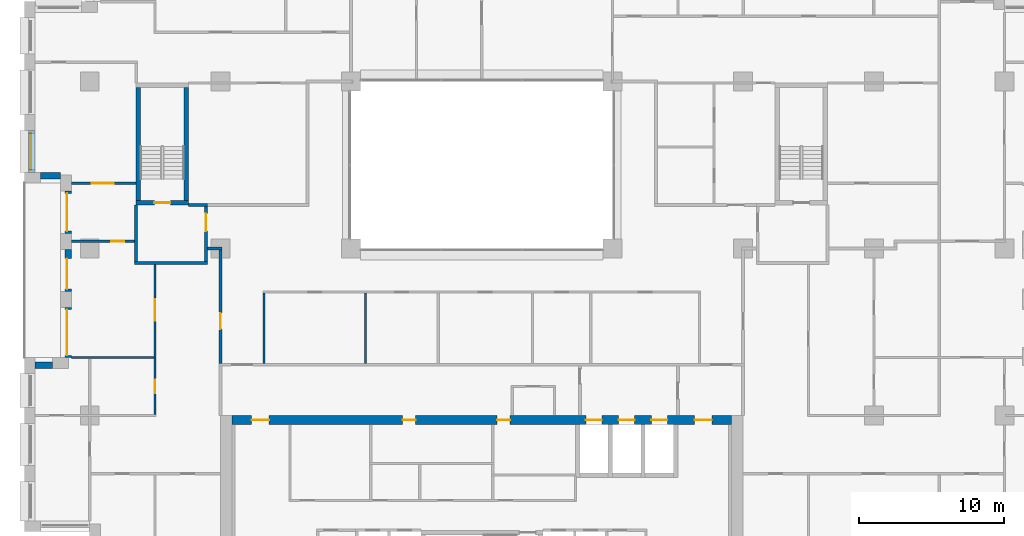
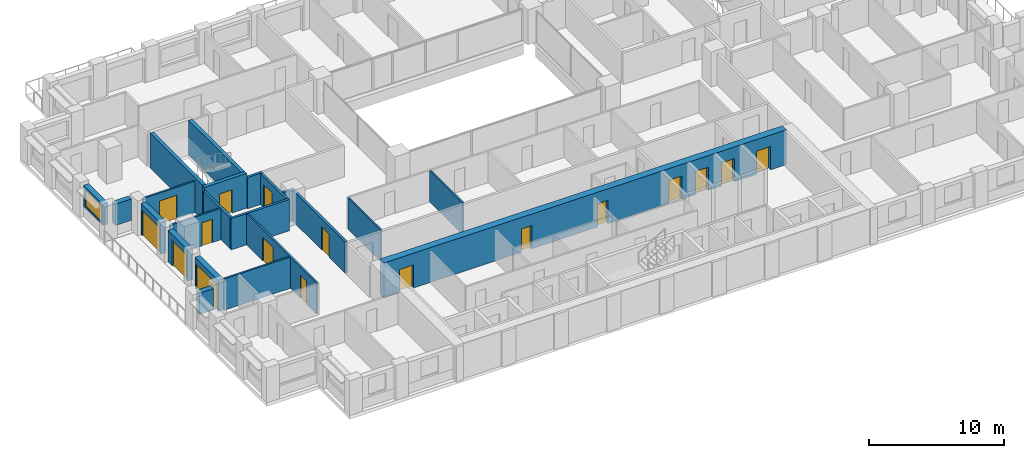
# One storey, part 9 of 16: 22 walls, 17 doors, 1 window, 18 openings.
"""IFC4 building model written with IfcOpenShell, lengths in metres."""

from ifc_helpers import new_model, si_unit, direction, frame, frame_2d, origin, place, context, subcontext, project, spatial, rectangle, extrude, material, layer, layer_set, type_object, element, fill, save


model = new_model("IFC4")

# Units and contexts
model_context = context("Model", 3, precision=1e-05, world=origin(), true_north=direction((0.0, 1.0)))
body_context = subcontext(model_context, "Body", "Model", "MODEL_VIEW")
ifc_project = project(units=[si_unit("LENGTHUNIT", "METRE"), si_unit("AREAUNIT", "SQUARE_METRE"), si_unit("VOLUMEUNIT", "CUBIC_METRE"), si_unit("PLANEANGLEUNIT", "RADIAN"), si_unit("MASSUNIT", "GRAM", prefix="KILO")], contexts=[model_context])

# Site, building, storey
site_placement = place(None, origin())
site = spatial("IfcSite", under=ifc_project, at=site_placement, CompositionType="ELEMENT")
building_placement = place(site_placement, origin())
building = spatial("IfcBuilding", under=site, at=building_placement, Name="Brigalow Station Residences", CompositionType="ELEMENT")
storey_placement = place(building_placement, frame((0.0, 0.0, 121.35009765625)))
storey = spatial("IfcBuildingStorey", under=building, at=storey_placement, Name="L35", CompositionType="ELEMENT", Elevation=121.35009765625)

# Wall, opening, window
ifc_material_1 = material(Name="Clay brick masonry", Category="masonry")
ifc_layer_1 = layer(ifc_material_1, 0.449951171875)
ifc_layer_set_1 = layer_set([ifc_layer_1], Name="BRICK INFILL WALL 450")
wall_type_1 = type_object("IfcWallType", Name="BRICK INFILL WALL 450", PredefinedType="SOLIDWALL", material=ifc_layer_set_1)
wall_1_placement = place(storey_placement, frame((5.02490234375, 32.116943359375, 0.89990234375), z_axis=(0.0, 0.0, 1.0), x_axis=(0.0, -1.0, 0.0)))
wall_1 = element("IfcWall", 1, at=wall_1_placement, inside=storey, type_object=wall_type_1, Name="L35/ewall/W-L35-41", PredefinedType="SOLIDWALL", context=body_context, shape_type="SweptSolid", body=[
    extrude(rectangle(XDim=2.866943359375, YDim=0.449951171875, at=frame_2d((1.43359375, 0.0))), origin(), (0.0, 0.0, 1.0), 1.929931640625),
])
opening_1_placement = place(wall_1_placement, frame((0.18359375, 0.0, 0.14990234375)))
opening_1 = element("IfcOpeningElement", 2, at=opening_1_placement, cuts=wall_1, Name="Opening WT-5", PredefinedType="OPENING", context=body_context, shape_type="SweptSolid", body=[
    extrude(rectangle(XDim=2.5, YDim=1.5, at=frame_2d((1.25, 0.75))), frame((0.0, 0.23486328125, 0.0), z_axis=(0.0, -1.0, 0.0), x_axis=(1.0, 0.0, 0.0)), (0.0, 0.0, 1.0), 0.469970703125),
])
ifc_material_2 = material(Name="Anodised aluminium frame with double glazing", Category="aluminium")
window_type = type_object("IfcWindowType", Name="WINDOW 2500x1500", PartitioningType="SINGLE_PANEL", PredefinedType="WINDOW", material=ifc_material_2)
window_placement = place(opening_1_placement, origin())
window = element("IfcWindow", 3, at=window_placement, inside=storey, type_object=window_type, Name="L35/window/W-L35-41", OverallHeight=1.5, OverallWidth=2.5, PartitioningType="SINGLE_PANEL", PredefinedType="WINDOW", context=body_context, shape_type="SweptSolid", body=[
    extrude(rectangle(XDim=2.5, YDim=1.5, at=frame_2d((1.25, 0.75))), frame((0.0, -0.06494140625, 0.0), z_axis=(0.0, -1.0, 0.0), x_axis=(1.0, 0.0, 0.0)), (0.0, 0.0, 1.0), 0.06005859375),
])
fill(opening_1, window)

# Wall
wall_2_placement = place(storey_placement, frame((5.60009765625, 29.02490234375, 0.89990234375), z_axis=(0.0, 0.0, 1.0), x_axis=(1.0, 0.0, 0.0)))
element("IfcWall", 4, at=wall_2_placement, inside=storey, type_object=wall_type_1, Name="L35/ewall/W-L35-42", PredefinedType="SOLIDWALL", context=body_context, shape_type="SweptSolid", body=[
    extrude(rectangle(XDim=1.39990234375, YDim=0.449951171875, at=frame_2d((0.699951171875, 0.0))), origin(), (0.0, 0.0, 1.0), 1.929931640625),
])

# Wall, opening, door
wall_3_placement = place(storey_placement, frame((7.52490234375, 27.949951171875, 0.0), z_axis=(0.0, 0.0, 1.0), x_axis=(0.0, -1.0, 0.0)))
wall_3 = element("IfcWall", 5, at=wall_3_placement, inside=storey, type_object=wall_type_1, Name="L35/ewall/W-L35-43", PredefinedType="SOLIDWALL", context=body_context, shape_type="SweptSolid", body=[
    extrude(rectangle(XDim=2.89990234375, YDim=0.449951171875, at=frame_2d((1.449951171875, 0.0))), origin(), (0.0, 0.0, 1.0), 2.829833984375),
])
opening_2_placement = place(wall_3_placement, frame((0.14990234375, 0.0, 0.0)))
opening_2 = element("IfcOpeningElement", 6, at=opening_2_placement, cuts=wall_3, Name="Opening D-B2600", PredefinedType="OPENING", context=body_context, shape_type="SweptSolid", body=[
    extrude(rectangle(XDim=2.60009765625, YDim=2.300048828125, at=frame_2d((1.300048828125, 1.14990234375))), frame((0.0, 0.23486328125, 0.0), z_axis=(0.0, -1.0, 0.0), x_axis=(1.0, 0.0, 0.0)), (0.0, 0.0, 1.0), 0.469970703125),
])
ifc_material_3 = material(Name="Anodised aluminium frame with double glazing", Category="aluminium")
door_type_1 = type_object("IfcDoorType", Name="BALCONY SLIDING DOOR 2600x2300", OperationType="SLIDING_TO_LEFT", PredefinedType="DOOR", material=ifc_material_3)
door_1_placement = place(opening_2_placement, origin())
door_1 = element("IfcDoor", 7, at=door_1_placement, inside=storey, type_object=door_type_1, Name="L35/balcony-door/W-L35-43", OperationType="SLIDING_TO_LEFT", OverallHeight=2.300048828125, OverallWidth=2.60009765625, PredefinedType="DOOR", context=body_context, shape_type="SweptSolid", body=[
    extrude(rectangle(XDim=2.60009765625, YDim=2.300048828125, at=frame_2d((1.300048828125, 1.14990234375))), frame((0.0, -0.06982421875, 0.0), z_axis=(0.0, -1.0, 0.0), x_axis=(1.0, 0.0, 0.0)), (0.0, 0.0, 1.0), 0.050048828125),
])
fill(opening_2, door_1)

wall_4_placement = place(storey_placement, frame((7.52490234375, 23.949951171875, 0.0), z_axis=(0.0, 0.0, 1.0), x_axis=(0.0, -1.0, 0.0)))
wall_4 = element("IfcWall", 8, at=wall_4_placement, inside=storey, type_object=wall_type_1, Name="L35/ewall/W-L35-44", PredefinedType="SOLIDWALL", context=body_context, shape_type="SweptSolid", body=[
    extrude(rectangle(XDim=2.89990234375, YDim=0.449951171875, at=frame_2d((1.449951171875, 0.0))), origin(), (0.0, 0.0, 1.0), 2.829833984375),
])
opening_3_placement = place(wall_4_placement, frame((0.635009765625, 0.0, 0.0)))
opening_3 = element("IfcOpeningElement", 9, at=opening_3_placement, cuts=wall_4, Name="Opening D-B2100", PredefinedType="OPENING", context=body_context, shape_type="SweptSolid", body=[
    extrude(rectangle(XDim=2.10009765625, YDim=2.300048828125, at=frame_2d((1.050048828125, 1.14990234375))), frame((0.0, 0.23486328125, 0.0), z_axis=(0.0, -1.0, 0.0), x_axis=(1.0, 0.0, 0.0)), (0.0, 0.0, 1.0), 0.469970703125),
])
ifc_material_4 = material(Name="Anodised aluminium frame with double glazing", Category="aluminium")
door_type_2 = type_object("IfcDoorType", Name="BALCONY SLIDING DOOR 2100x2300", OperationType="SLIDING_TO_LEFT", PredefinedType="DOOR", material=ifc_material_4)
door_2_placement = place(opening_3_placement, origin())
door_2 = element("IfcDoor", 10, at=door_2_placement, inside=storey, type_object=door_type_2, Name="L35/balcony-door/W-L35-44", OperationType="SLIDING_TO_LEFT", OverallHeight=2.300048828125, OverallWidth=2.10009765625, PredefinedType="DOOR", context=body_context, shape_type="SweptSolid", body=[
    extrude(rectangle(XDim=2.10009765625, YDim=2.300048828125, at=frame_2d((1.050048828125, 1.14990234375))), frame((0.0, -0.06982421875, 0.0), z_axis=(0.0, -1.0, 0.0), x_axis=(1.0, 0.0, 0.0)), (0.0, 0.0, 1.0), 0.050048828125),
])
fill(opening_3, door_2)

wall_5_placement = place(storey_placement, frame((7.52490234375, 19.949951171875, 0.0), z_axis=(0.0, 0.0, 1.0), x_axis=(0.0, -1.0, 0.0)))
wall_5 = element("IfcWall", 11, at=wall_5_placement, inside=storey, type_object=wall_type_1, Name="L35/ewall/W-L35-45", PredefinedType="SOLIDWALL", context=body_context, shape_type="SweptSolid", body=[
    extrude(rectangle(XDim=3.449951171875, YDim=0.449951171875, at=frame_2d((1.72509765625, 0.0))), origin(), (0.0, 0.0, 1.0), 2.829833984375),
])
opening_4_placement = place(wall_5_placement, frame((0.14990234375, 0.0, 0.0)))
opening_4 = element("IfcOpeningElement", 12, at=opening_4_placement, cuts=wall_5, Name="Opening D-B3150", PredefinedType="OPENING", context=body_context, shape_type="SweptSolid", body=[
    extrude(rectangle(XDim=3.14990234375, YDim=2.300048828125, at=frame_2d((1.574951171875, 1.14990234375))), frame((0.0, 0.23486328125, 0.0), z_axis=(0.0, -1.0, 0.0), x_axis=(1.0, 0.0, 0.0)), (0.0, 0.0, 1.0), 0.469970703125),
])
ifc_material_5 = material(Name="Anodised aluminium frame with double glazing", Category="aluminium")
door_type_3 = type_object("IfcDoorType", Name="BALCONY SLIDING DOOR 3150x2300", OperationType="SLIDING_TO_LEFT", PredefinedType="DOOR", material=ifc_material_5)
door_3_placement = place(opening_4_placement, origin())
door_3 = element("IfcDoor", 13, at=door_3_placement, inside=storey, type_object=door_type_3, Name="L35/balcony-door/W-L35-45", OperationType="SLIDING_TO_LEFT", OverallHeight=2.300048828125, OverallWidth=3.14990234375, PredefinedType="DOOR", context=body_context, shape_type="SweptSolid", body=[
    extrude(rectangle(XDim=3.14990234375, YDim=2.300048828125, at=frame_2d((1.574951171875, 1.14990234375))), frame((0.0, -0.06982421875, 0.0), z_axis=(0.0, -1.0, 0.0), x_axis=(1.0, 0.0, 0.0)), (0.0, 0.0, 1.0), 0.050048828125),
])
fill(opening_4, door_3)

# Wall
wall_6_placement = place(storey_placement, frame((6.449951171875, 15.97509765625, 0.89990234375), z_axis=(0.0, 0.0, 1.0), x_axis=(-1.0, 0.0, 0.0)))
element("IfcWall", 14, at=wall_6_placement, inside=storey, type_object=wall_type_1, Name="L35/ewall/W-L35-46", PredefinedType="SOLIDWALL", context=body_context, shape_type="SweptSolid", body=[
    extrude(rectangle(XDim=1.199951171875, YDim=0.449951171875, at=frame_2d((0.60009765625, 0.0))), origin(), (0.0, 0.0, 1.0), 1.929931640625),
])

# Wall, opening, door
ifc_material_6 = material(Name="Concrete C65", Category="concrete")
ifc_layer_2 = layer(ifc_material_6, 0.300048828125)
ifc_layer_set_2 = layer_set([ifc_layer_2], Name="CORE SHEAR WALL 300 C65")
wall_type_2 = type_object("IfcWallType", Name="CORE SHEAR WALL 300 C65", PredefinedType="SHEAR", material=ifc_layer_set_2)
wall_7_placement = place(storey_placement, frame((12.199951171875, 27.14990234375, 0.0), z_axis=(0.0, 0.0, 1.0), x_axis=(1.0, 0.0, 0.0)))
wall_7 = element("IfcWall", 15, at=wall_7_placement, inside=storey, type_object=wall_type_2, Name="CORE WALL ST-S1-S L35", PredefinedType="SHEAR", context=body_context, shape_type="SweptSolid", body=[
    extrude(rectangle(XDim=3.60009765625, YDim=0.300048828125, at=frame_2d((1.800048828125, 0.0))), origin(), (0.0, 0.0, 1.0), 3.14990234375),
])
opening_5_placement = place(wall_7_placement, frame((1.25, 0.0, 0.0)))
opening_5 = element("IfcOpeningElement", 16, at=opening_5_placement, cuts=wall_7, Name="Opening D-5015", PredefinedType="OPENING", context=body_context, shape_type="SweptSolid", body=[
    extrude(rectangle(XDim=1.10009765625, YDim=2.10009765625, at=frame_2d((0.550048828125, 1.050048828125))), frame((0.0, 0.16015625, 0.0), z_axis=(0.0, -1.0, 0.0), x_axis=(1.0, 0.0, 0.0)), (0.0, 0.0, 1.0), 0.320068359375),
])
ifc_material_7 = material(Name="Steel fire door leaf in steel frame", Category="steel")
door_type_4 = type_object("IfcDoorType", Name="STAIR DOOR 1100 x 2100 FD60S", OperationType="SINGLE_SWING_LEFT", PredefinedType="DOOR", material=ifc_material_7)
door_4_placement = place(opening_5_placement, origin())
door_4 = element("IfcDoor", 17, at=door_4_placement, inside=storey, type_object=door_type_4, Name="D-5015", OperationType="SINGLE_SWING_LEFT", OverallHeight=2.10009765625, OverallWidth=1.10009765625, PredefinedType="DOOR", context=body_context, shape_type="SweptSolid", body=[
    extrude(rectangle(XDim=1.10009765625, YDim=2.10009765625, at=frame_2d((0.550048828125, 1.050048828125))), frame((0.0, 0.02490234375, 0.0), z_axis=(0.0, -1.0, 0.0), x_axis=(1.0, 0.0, 0.0)), (0.0, 0.0, 1.0), 0.050048828125),
])
fill(opening_5, door_4)

# Walls
for number, where, z_axis, x_axis, name in (
    (18, (12.35009765625, 27.300048828125, 0.0), (0.0, 0.0, 1.0), (0.0, 1.0, 0.0), "CORE WALL ST-S1-W L35"),
    (19, (15.64990234375, 27.300048828125, 0.0), (0.0, 0.0, 1.0), (0.0, 1.0, 0.0), "CORE WALL ST-S1-E L35"),
):
    element("IfcWall", number, at=place(storey_placement, frame(where, z_axis=z_axis, x_axis=x_axis)), inside=storey, type_object=wall_type_2, Name=name, PredefinedType="SHEAR", context=body_context, shape_type="SweptSolid", body=[
        extrude(rectangle(XDim=7.800048828125, YDim=0.300048828125, at=frame_2d((3.89990234375, 0.0))), origin(), (0.0, 0.0, 1.0), 3.14990234375),
    ])

# Wall, openings, doors
ifc_material_8 = material(Name="Concrete C65", Category="concrete")
ifc_layer_3 = layer(ifc_material_8, 0.60009765625)
ifc_layer_set_3 = layer_set([ifc_layer_3], Name="CORE SHEAR WALL 600 C65")
wall_type_3 = type_object("IfcWallType", Name="CORE SHEAR WALL 600 C65", PredefinedType="SHEAR", material=ifc_layer_set_3)
wall_8_placement = place(storey_placement, frame((18.800048828125, 12.199951171875, 0.0), z_axis=(0.0, 0.0, 1.0), x_axis=(1.0, 0.0, 0.0)))
wall_8 = element("IfcWall", 20, at=wall_8_placement, inside=storey, type_object=wall_type_3, Name="CORE WALL OUT-N L35", PredefinedType="SHEAR", context=body_context, shape_type="SweptSolid", body=[
    extrude(rectangle(XDim=34.39990234375, YDim=0.60009765625, at=frame_2d((17.199951171875, 0.0))), origin(), (0.0, 0.0, 1.0), 3.14990234375),
])
opening_6_placement = place(wall_8_placement, frame((24.375, 0.0, 0.0)))
opening_6 = element("IfcOpeningElement", 21, at=opening_6_placement, cuts=wall_8, Name="Opening LD-LF1", PredefinedType="OPENING", context=body_context, shape_type="SweptSolid", body=[
    extrude(rectangle(XDim=1.10009765625, YDim=2.10009765625, at=frame_2d((0.550048828125, 1.050048828125))), frame((0.0, 0.31005859375, 0.0), z_axis=(0.0, -1.0, 0.0), x_axis=(1.0, 0.0, 0.0)), (0.0, 0.0, 1.0), 0.6201171875),
])
opening_7_placement = place(wall_8_placement, frame((26.625, 0.0, 0.0)))
opening_7 = element("IfcOpeningElement", 22, at=opening_7_placement, cuts=wall_8, Name="Opening LD-LF2", PredefinedType="OPENING", context=body_context, shape_type="SweptSolid", body=[
    extrude(rectangle(XDim=1.10009765625, YDim=2.10009765625, at=frame_2d((0.550048828125, 1.050048828125))), frame((0.0, 0.31005859375, 0.0), z_axis=(0.0, -1.0, 0.0), x_axis=(1.0, 0.0, 0.0)), (0.0, 0.0, 1.0), 0.6201171875),
])
opening_8_placement = place(wall_8_placement, frame((28.875, 0.0, 0.0)))
opening_8 = element("IfcOpeningElement", 23, at=opening_8_placement, cuts=wall_8, Name="Opening LD-LG1", PredefinedType="OPENING", context=body_context, shape_type="SweptSolid", body=[
    extrude(rectangle(XDim=1.10009765625, YDim=2.10009765625, at=frame_2d((0.550048828125, 1.050048828125))), frame((0.0, 0.31005859375, 0.0), z_axis=(0.0, -1.0, 0.0), x_axis=(1.0, 0.0, 0.0)), (0.0, 0.0, 1.0), 0.6201171875),
])
opening_9_placement = place(wall_8_placement, frame((11.75, 0.0, 0.0)))
opening_9 = element("IfcOpeningElement", 24, at=opening_9_placement, cuts=wall_8, Name="Opening D-5122", PredefinedType="OPENING", context=body_context, shape_type="SweptSolid", body=[
    extrude(rectangle(XDim=0.89990234375, YDim=2.10009765625, at=frame_2d((0.449951171875, 1.050048828125))), frame((0.0, 0.31005859375, 0.0), z_axis=(0.0, -1.0, 0.0), x_axis=(1.0, 0.0, 0.0)), (0.0, 0.0, 1.0), 0.6201171875),
])
opening_10_placement = place(wall_8_placement, frame((18.25, 0.0, 0.0)))
opening_10 = element("IfcOpeningElement", 25, at=opening_10_placement, cuts=wall_8, Name="Opening D-5119", PredefinedType="OPENING", context=body_context, shape_type="SweptSolid", body=[
    extrude(rectangle(XDim=0.89990234375, YDim=2.10009765625, at=frame_2d((0.449951171875, 1.050048828125))), frame((0.0, 0.31005859375, 0.0), z_axis=(0.0, -1.0, 0.0), x_axis=(1.0, 0.0, 0.0)), (0.0, 0.0, 1.0), 0.6201171875),
])
opening_11_placement = place(wall_8_placement, frame((1.35009765625, 0.0, 0.0)))
opening_11 = element("IfcOpeningElement", 26, at=opening_11_placement, cuts=wall_8, Name="Opening D-5011", PredefinedType="OPENING", context=body_context, shape_type="SweptSolid", body=[
    extrude(rectangle(XDim=1.199951171875, YDim=2.10009765625, at=frame_2d((0.60009765625, 1.050048828125))), frame((0.0, 0.31005859375, 0.0), z_axis=(0.0, -1.0, 0.0), x_axis=(1.0, 0.0, 0.0)), (0.0, 0.0, 1.0), 0.6201171875),
])
opening_12_placement = place(wall_8_placement, frame((31.85009765625, 0.0, 0.0)))
opening_12 = element("IfcOpeningElement", 27, at=opening_12_placement, cuts=wall_8, Name="Opening D-5012", PredefinedType="OPENING", context=body_context, shape_type="SweptSolid", body=[
    extrude(rectangle(XDim=1.199951171875, YDim=2.10009765625, at=frame_2d((0.60009765625, 1.050048828125))), frame((0.0, 0.31005859375, 0.0), z_axis=(0.0, -1.0, 0.0), x_axis=(1.0, 0.0, 0.0)), (0.0, 0.0, 1.0), 0.6201171875),
])
ifc_material_9 = material(Name="Steel fire door leaf in steel frame", Category="steel")
door_type_5 = type_object("IfcDoorType", Name="CORE CORRIDOR DOOR 1200 x 2100 FD60S", OperationType="SINGLE_SWING_LEFT", PredefinedType="DOOR", material=ifc_material_9)
door_5_placement = place(opening_11_placement, frame((1.199951171875, 0.0, 0.0), z_axis=(0.0, 0.0, 1.0), x_axis=(-1.0, 0.0, 0.0)))
door_5 = element("IfcDoor", 28, at=door_5_placement, inside=storey, type_object=door_type_5, Name="D-5011", OperationType="SINGLE_SWING_LEFT", OverallHeight=2.10009765625, OverallWidth=1.199951171875, PredefinedType="DOOR", context=body_context, shape_type="SweptSolid", body=[
    extrude(rectangle(XDim=1.199951171875, YDim=2.10009765625, at=frame_2d((0.60009765625, 1.050048828125))), frame((0.0, 0.02490234375, 0.0), z_axis=(0.0, -1.0, 0.0), x_axis=(1.0, 0.0, 0.0)), (0.0, 0.0, 1.0), 0.050048828125),
])
fill(opening_11, door_5)
door_6_placement = place(opening_12_placement, frame((1.199951171875, 0.0, 0.0), z_axis=(0.0, 0.0, 1.0), x_axis=(-1.0, 0.0, 0.0)))
door_6 = element("IfcDoor", 29, at=door_6_placement, inside=storey, type_object=door_type_5, Name="D-5012", OperationType="SINGLE_SWING_LEFT", OverallHeight=2.10009765625, OverallWidth=1.199951171875, PredefinedType="DOOR", context=body_context, shape_type="SweptSolid", body=[
    extrude(rectangle(XDim=1.199951171875, YDim=2.10009765625, at=frame_2d((0.60009765625, 1.050048828125))), frame((0.0, 0.02490234375, 0.0), z_axis=(0.0, -1.0, 0.0), x_axis=(1.0, 0.0, 0.0)), (0.0, 0.0, 1.0), 0.050048828125),
])
fill(opening_12, door_6)
ifc_material_10 = material(Name="Stainless steel sliding door leaves", Category="steel")
door_type_6 = type_object("IfcDoorType", Name="LIFT LANDING DOOR 1100 x 2100", OperationType="DOUBLE_DOOR_SLIDING", PredefinedType="DOOR", material=ifc_material_10)
door_7_placement = place(opening_6_placement, origin())
door_7 = element("IfcDoor", 30, at=door_7_placement, inside=storey, type_object=door_type_6, Name="LANDING DOOR LF1", OperationType="DOUBLE_DOOR_SLIDING", OverallHeight=2.10009765625, OverallWidth=1.10009765625, PredefinedType="DOOR", context=body_context, shape_type="SweptSolid", body=[
    extrude(rectangle(XDim=1.10009765625, YDim=2.10009765625, at=frame_2d((0.550048828125, 1.050048828125))), frame((0.0, 0.02490234375, 0.0), z_axis=(0.0, -1.0, 0.0), x_axis=(1.0, 0.0, 0.0)), (0.0, 0.0, 1.0), 0.050048828125),
])
fill(opening_6, door_7)
door_8_placement = place(opening_7_placement, origin())
door_8 = element("IfcDoor", 31, at=door_8_placement, inside=storey, type_object=door_type_6, Name="LANDING DOOR LF2", OperationType="DOUBLE_DOOR_SLIDING", OverallHeight=2.10009765625, OverallWidth=1.10009765625, PredefinedType="DOOR", context=body_context, shape_type="SweptSolid", body=[
    extrude(rectangle(XDim=1.10009765625, YDim=2.10009765625, at=frame_2d((0.550048828125, 1.050048828125))), frame((0.0, 0.02490234375, 0.0), z_axis=(0.0, -1.0, 0.0), x_axis=(1.0, 0.0, 0.0)), (0.0, 0.0, 1.0), 0.050048828125),
])
fill(opening_7, door_8)
door_9_placement = place(opening_8_placement, origin())
door_9 = element("IfcDoor", 32, at=door_9_placement, inside=storey, type_object=door_type_6, Name="LANDING DOOR LG1", OperationType="DOUBLE_DOOR_SLIDING", OverallHeight=2.10009765625, OverallWidth=1.10009765625, PredefinedType="DOOR", context=body_context, shape_type="SweptSolid", body=[
    extrude(rectangle(XDim=1.10009765625, YDim=2.10009765625, at=frame_2d((0.550048828125, 1.050048828125))), frame((0.0, 0.02490234375, 0.0), z_axis=(0.0, -1.0, 0.0), x_axis=(1.0, 0.0, 0.0)), (0.0, 0.0, 1.0), 0.050048828125),
])
fill(opening_8, door_9)
ifc_material_11 = material(Name="Steel door leaf in steel frame", Category="steel")
door_type_7 = type_object("IfcDoorType", Name="SERVICE ROOM DOOR 900 x 2100 FD60", OperationType="SINGLE_SWING_LEFT", PredefinedType="DOOR", material=ifc_material_11)
door_10_placement = place(opening_9_placement, frame((0.89990234375, 0.0, 0.0), z_axis=(0.0, 0.0, 1.0), x_axis=(-1.0, 0.0, 0.0)))
door_10 = element("IfcDoor", 33, at=door_10_placement, inside=storey, type_object=door_type_7, Name="D-5122", OperationType="SINGLE_SWING_RIGHT", OverallHeight=2.10009765625, OverallWidth=0.89990234375, PredefinedType="DOOR", context=body_context, shape_type="SweptSolid", body=[
    extrude(rectangle(XDim=0.89990234375, YDim=2.10009765625, at=frame_2d((0.449951171875, 1.050048828125))), frame((0.0, 0.02490234375, 0.0), z_axis=(0.0, -1.0, 0.0), x_axis=(1.0, 0.0, 0.0)), (0.0, 0.0, 1.0), 0.050048828125),
])
fill(opening_9, door_10)
door_11_placement = place(opening_10_placement, frame((0.89990234375, 0.0, 0.0), z_axis=(0.0, 0.0, 1.0), x_axis=(-1.0, 0.0, 0.0)))
door_11 = element("IfcDoor", 34, at=door_11_placement, inside=storey, type_object=door_type_7, Name="D-5119", OperationType="SINGLE_SWING_RIGHT", OverallHeight=2.10009765625, OverallWidth=0.89990234375, PredefinedType="DOOR", context=body_context, shape_type="SweptSolid", body=[
    extrude(rectangle(XDim=0.89990234375, YDim=2.10009765625, at=frame_2d((0.449951171875, 1.050048828125))), frame((0.0, 0.02490234375, 0.0), z_axis=(0.0, -1.0, 0.0), x_axis=(1.0, 0.0, 0.0)), (0.0, 0.0, 1.0), 0.050048828125),
])
fill(opening_10, door_11)

# Walls
ifc_material_12 = material(Name="Concrete blockwork", Category="masonry")
ifc_layer_4 = layer(ifc_material_12, 0.199951171875)
ifc_layer_set_4 = layer_set([ifc_layer_4], Name="FIRE RATED CORE PARTITION 200")
wall_type_4 = type_object("IfcWallType", Name="FIRE RATED CORE PARTITION 200", PredefinedType="PARTITIONING", material=ifc_layer_set_4)
wall_9_placement = place(storey_placement, frame((12.10009765625, 23.0, 0.0), z_axis=(0.0, 0.0, 1.0), x_axis=(1.0, 0.0, 0.0)))
element("IfcWall", 35, at=wall_9_placement, inside=storey, type_object=wall_type_4, Name="PW-5023", PredefinedType="PARTITIONING", context=body_context, shape_type="SweptSolid", body=[
    extrude(rectangle(XDim=5.0, YDim=0.199951171875, at=frame_2d((2.5, 0.0))), origin(), (0.0, 0.0, 1.0), 2.829833984375),
])
wall_10_placement = place(storey_placement, frame((15.800048828125, 27.0, 0.0), z_axis=(0.0, 0.0, 1.0), x_axis=(1.0, 0.0, 0.0)))
element("IfcWall", 36, at=wall_10_placement, inside=storey, type_object=wall_type_4, Name="PW-5025", PredefinedType="PARTITIONING", context=body_context, shape_type="SweptSolid", body=[
    extrude(rectangle(XDim=1.300048828125, YDim=0.199951171875, at=frame_2d((0.64990234375, 0.0))), origin(), (0.0, 0.0, 1.0), 2.829833984375),
])
wall_11_placement = place(storey_placement, frame((12.199951171875, 23.10009765625, 0.0), z_axis=(0.0, 0.0, 1.0), x_axis=(0.0, 1.0, 0.0)))
element("IfcWall", 37, at=wall_11_placement, inside=storey, type_object=wall_type_4, Name="PW-5034", PredefinedType="PARTITIONING", context=body_context, shape_type="SweptSolid", body=[
    extrude(rectangle(XDim=3.89990234375, YDim=0.199951171875, at=frame_2d((1.949951171875, 0.0))), origin(), (0.0, 0.0, 1.0), 2.829833984375),
])

# Wall, opening, door
wall_12_placement = place(storey_placement, frame((17.0, 23.10009765625, 0.0), z_axis=(0.0, 0.0, 1.0), x_axis=(0.0, 1.0, 0.0)))
wall_12 = element("IfcWall", 38, at=wall_12_placement, inside=storey, type_object=wall_type_4, Name="PW-5035", PredefinedType="PARTITIONING", context=body_context, shape_type="SweptSolid", body=[
    extrude(rectangle(XDim=3.7998046875, YDim=0.199951171875, at=frame_2d((1.89990234375, 0.0))), origin(), (0.0, 0.0, 1.0), 2.829833984375),
])
opening_13_placement = place(wall_12_placement, frame((2.10009765625, 0.0, 0.0)))
opening_13 = element("IfcOpeningElement", 39, at=opening_13_placement, cuts=wall_12, Name="Opening D-5016", PredefinedType="OPENING", context=body_context, shape_type="SweptSolid", body=[
    extrude(rectangle(XDim=1.199951171875, YDim=2.10009765625, at=frame_2d((0.60009765625, 1.050048828125))), frame((0.0, 0.10986328125, 0.0), z_axis=(0.0, -1.0, 0.0), x_axis=(1.0, 0.0, 0.0)), (0.0, 0.0, 1.0), 0.219970703125),
])
ifc_material_13 = material(Name="Steel fire door leaf in steel frame", Category="steel")
door_type_8 = type_object("IfcDoorType", Name="STAIR LOBBY DOOR 1200 x 2100 FD60S", OperationType="SINGLE_SWING_LEFT", PredefinedType="DOOR", material=ifc_material_13)
door_12_placement = place(opening_13_placement, origin())
door_12 = element("IfcDoor", 40, at=door_12_placement, inside=storey, type_object=door_type_8, Name="D-5016", OperationType="SINGLE_SWING_RIGHT", OverallHeight=2.10009765625, OverallWidth=1.199951171875, PredefinedType="DOOR", context=body_context, shape_type="SweptSolid", body=[
    extrude(rectangle(XDim=1.199951171875, YDim=2.10009765625, at=frame_2d((0.60009765625, 1.050048828125))), frame((0.0, 0.02490234375, 0.0), z_axis=(0.0, -1.0, 0.0), x_axis=(1.0, 0.0, 0.0)), (0.0, 0.0, 1.0), 0.050048828125),
])
fill(opening_13, door_12)

# Wall
ifc_material_14 = material(Name="Plasterboard on steel stud partition", Category="steel")
ifc_layer_5 = layer(ifc_material_14, 0.14990234375)
ifc_layer_set_5 = layer_set([ifc_layer_5], Name="FLAT PARTITION 150")
wall_type_5 = type_object("IfcWallType", Name="FLAT PARTITION 150", PredefinedType="PARTITIONING", material=ifc_layer_set_5)
wall_13_placement = place(storey_placement, frame((7.75, 16.5, 0.0), z_axis=(0.0, 0.0, 1.0), x_axis=(1.0, 0.0, 0.0)))
element("IfcWall", 41, at=wall_13_placement, inside=storey, type_object=wall_type_5, Name="PW-2E14", PredefinedType="PARTITIONING", context=body_context, shape_type="SweptSolid", body=[
    extrude(rectangle(XDim=5.675048828125, YDim=0.14990234375, at=frame_2d((2.83740234375, 0.0))), origin(), (0.0, 0.0, 1.0), 2.829833984375),
])

# Wall, opening, door
wall_14_placement = place(storey_placement, frame((7.75, 24.5, 0.0), z_axis=(0.0, 0.0, 1.0), x_axis=(1.0, 0.0, 0.0)))
wall_14 = element("IfcWall", 42, at=wall_14_placement, inside=storey, type_object=wall_type_5, Name="PW-2E18", PredefinedType="PARTITIONING", context=body_context, shape_type="SweptSolid", body=[
    extrude(rectangle(XDim=4.35009765625, YDim=0.14990234375, at=frame_2d((2.175048828125, 0.0))), origin(), (0.0, 0.0, 1.0), 2.829833984375),
])
opening_14_placement = place(wall_14_placement, frame((2.72509765625, 0.0, 0.0)))
opening_14 = element("IfcOpeningElement", 43, at=opening_14_placement, cuts=wall_14, Name="Opening D-2E10", PredefinedType="OPENING", context=body_context, shape_type="SweptSolid", body=[
    extrude(rectangle(XDim=0.89990234375, YDim=2.10009765625, at=frame_2d((0.449951171875, 1.050048828125))), frame((0.0, 0.0849609375, 0.0), z_axis=(0.0, -1.0, 0.0), x_axis=(1.0, 0.0, 0.0)), (0.0, 0.0, 1.0), 0.169921875),
])
ifc_material_15 = material(Name="Solid-core timber door leaf", Category="wood")
door_type_9 = type_object("IfcDoorType", Name="INTERNAL DOOR 900 x 2100", OperationType="SINGLE_SWING_LEFT", PredefinedType="DOOR", material=ifc_material_15)
door_13_placement = place(opening_14_placement, origin())
door_13 = element("IfcDoor", 44, at=door_13_placement, inside=storey, type_object=door_type_9, Name="D-2E10", OperationType="SINGLE_SWING_RIGHT", OverallHeight=2.10009765625, OverallWidth=0.89990234375, PredefinedType="DOOR", context=body_context, shape_type="SweptSolid", body=[
    extrude(rectangle(XDim=0.89990234375, YDim=2.10009765625, at=frame_2d((0.449951171875, 1.050048828125))), frame((0.0, 0.02490234375, 0.0), z_axis=(0.0, -1.0, 0.0), x_axis=(1.0, 0.0, 0.0)), (0.0, 0.0, 1.0), 0.050048828125),
])
fill(opening_14, door_13)

wall_15_placement = place(storey_placement, frame((7.75, 28.5, 0.0), z_axis=(0.0, 0.0, 1.0), x_axis=(1.0, 0.0, 0.0)))
wall_15 = element("IfcWall", 45, at=wall_15_placement, inside=storey, type_object=wall_type_5, Name="PW-2E21", PredefinedType="PARTITIONING", context=body_context, shape_type="SweptSolid", body=[
    extrude(rectangle(XDim=4.449951171875, YDim=0.14990234375, at=frame_2d((2.22509765625, 0.0))), origin(), (0.0, 0.0, 1.0), 2.829833984375),
])
opening_15_placement = place(wall_15_placement, frame((1.39990234375, 0.0, 0.0)))
opening_15 = element("IfcOpeningElement", 46, at=opening_15_placement, cuts=wall_15, Name="Opening D-2E11", PredefinedType="OPENING", context=body_context, shape_type="SweptSolid", body=[
    extrude(rectangle(XDim=1.5, YDim=2.10009765625, at=frame_2d((0.75, 1.050048828125))), frame((0.0, 0.0849609375, 0.0), z_axis=(0.0, -1.0, 0.0), x_axis=(1.0, 0.0, 0.0)), (0.0, 0.0, 1.0), 0.169921875),
])
ifc_material_16 = material(Name="Solid-core timber door leaf", Category="wood")
door_type_10 = type_object("IfcDoorType", Name="INTERNAL DOUBLE DOOR 1500 x 2100", OperationType="DOUBLE_DOOR_SINGLE_SWING", PredefinedType="DOOR", material=ifc_material_16)
door_14_placement = place(opening_15_placement, frame((1.5, 0.0, 0.0), z_axis=(0.0, 0.0, 1.0), x_axis=(-1.0, 0.0, 0.0)))
door_14 = element("IfcDoor", 47, at=door_14_placement, inside=storey, type_object=door_type_10, Name="D-2E11", OperationType="DOUBLE_DOOR_SINGLE_SWING", OverallHeight=2.10009765625, OverallWidth=1.5, PredefinedType="DOOR", context=body_context, shape_type="SweptSolid", body=[
    extrude(rectangle(XDim=1.5, YDim=2.10009765625, at=frame_2d((0.75, 1.050048828125))), frame((0.0, 0.02490234375, 0.0), z_axis=(0.0, -1.0, 0.0), x_axis=(1.0, 0.0, 0.0)), (0.0, 0.0, 1.0), 0.050048828125),
])
fill(opening_15, door_14)

# Wall
wall_16_placement = place(storey_placement, frame((21.0, 16.10009765625, 0.0), z_axis=(0.0, 0.0, 1.0), x_axis=(0.0, 1.0, 0.0)))
element("IfcWall", 48, at=wall_16_placement, inside=storey, type_object=wall_type_5, Name="PW-2E38", PredefinedType="PARTITIONING", context=body_context, shape_type="SweptSolid", body=[
    extrude(rectangle(XDim=4.824951171875, YDim=0.14990234375, at=frame_2d((2.41259765625, 0.0))), origin(), (0.0, 0.0, 1.0), 2.829833984375),
])

# Wall, openings, doors
wall_17_placement = place(storey_placement, frame((13.5, 12.574951171875, 0.0), z_axis=(0.0, 0.0, 1.0), x_axis=(0.0, 1.0, 0.0)))
wall_17 = element("IfcWall", 49, at=wall_17_placement, inside=storey, type_object=wall_type_5, Name="PW-2E45", PredefinedType="PARTITIONING", context=body_context, shape_type="SweptSolid", body=[
    extrude(rectangle(XDim=10.324951171875, YDim=0.14990234375, at=frame_2d((5.16259765625, 0.0))), origin(), (0.0, 0.0, 1.0), 2.829833984375),
])
opening_16_placement = place(wall_17_placement, frame((1.47509765625, 0.0, 0.0)))
opening_16 = element("IfcOpeningElement", 50, at=opening_16_placement, cuts=wall_17, Name="Opening D-2E08", PredefinedType="OPENING", context=body_context, shape_type="SweptSolid", body=[
    extrude(rectangle(XDim=0.89990234375, YDim=2.10009765625, at=frame_2d((0.449951171875, 1.050048828125))), frame((0.0, 0.0849609375, 0.0), z_axis=(0.0, -1.0, 0.0), x_axis=(1.0, 0.0, 0.0)), (0.0, 0.0, 1.0), 0.169921875),
])
opening_17_placement = place(wall_17_placement, frame((6.449951171875, 0.0, 0.0)))
opening_17 = element("IfcOpeningElement", 51, at=opening_17_placement, cuts=wall_17, Name="Opening D-2E09", PredefinedType="OPENING", context=body_context, shape_type="SweptSolid", body=[
    extrude(rectangle(XDim=1.5, YDim=2.10009765625, at=frame_2d((0.75, 1.050048828125))), frame((0.0, 0.0849609375, 0.0), z_axis=(0.0, -1.0, 0.0), x_axis=(1.0, 0.0, 0.0)), (0.0, 0.0, 1.0), 0.169921875),
])
door_15_placement = place(opening_16_placement, origin())
door_15 = element("IfcDoor", 52, at=door_15_placement, inside=storey, type_object=door_type_9, Name="D-2E08", OperationType="SINGLE_SWING_RIGHT", OverallHeight=2.10009765625, OverallWidth=0.89990234375, PredefinedType="DOOR", context=body_context, shape_type="SweptSolid", body=[
    extrude(rectangle(XDim=0.89990234375, YDim=2.10009765625, at=frame_2d((0.449951171875, 1.050048828125))), frame((0.0, 0.02490234375, 0.0), z_axis=(0.0, -1.0, 0.0), x_axis=(1.0, 0.0, 0.0)), (0.0, 0.0, 1.0), 0.050048828125),
])
fill(opening_16, door_15)
door_16_placement = place(opening_17_placement, origin())
door_16 = element("IfcDoor", 53, at=door_16_placement, inside=storey, type_object=door_type_10, Name="D-2E09", OperationType="DOUBLE_DOOR_SINGLE_SWING", OverallHeight=2.10009765625, OverallWidth=1.5, PredefinedType="DOOR", context=body_context, shape_type="SweptSolid", body=[
    extrude(rectangle(XDim=1.5, YDim=2.10009765625, at=frame_2d((0.75, 1.050048828125))), frame((0.0, 0.02490234375, 0.0), z_axis=(0.0, -1.0, 0.0), x_axis=(1.0, 0.0, 0.0)), (0.0, 0.0, 1.0), 0.050048828125),
])
fill(opening_17, door_16)

# Walls
wall_18_placement = place(storey_placement, frame((28.0, 16.10009765625, 0.0), z_axis=(0.0, 0.0, 1.0), x_axis=(0.0, 1.0, 0.0)))
element("IfcWall", 54, at=wall_18_placement, inside=storey, type_object=wall_type_5, Name="PW-2E66", PredefinedType="PARTITIONING", context=body_context, shape_type="SweptSolid", body=[
    extrude(rectangle(XDim=4.824951171875, YDim=0.14990234375, at=frame_2d((2.41259765625, 0.0))), origin(), (0.0, 0.0, 1.0), 2.829833984375),
])
ifc_material_17 = material(Name="Plasterboard on steel stud partition", Category="steel")
ifc_layer_6 = layer(ifc_material_17, 0.199951171875)
ifc_layer_set_6 = layer_set([ifc_layer_6], Name="PARTY AND CORRIDOR WALL 200")
wall_type_6 = type_object("IfcWallType", Name="PARTY AND CORRIDOR WALL 200", PredefinedType="PARTITIONING", material=ifc_layer_set_6)
wall_19_placement = place(storey_placement, frame((17.10009765625, 24.0, 0.0), z_axis=(0.0, 0.0, 1.0), x_axis=(1.0, 0.0, 0.0)))
element("IfcWall", 55, at=wall_19_placement, inside=storey, type_object=wall_type_6, Name="PW-2E02", PredefinedType="PARTITIONING", context=body_context, shape_type="SweptSolid", body=[
    extrude(rectangle(XDim=1.0, YDim=0.199951171875, at=frame_2d((0.5, 0.0))), origin(), (0.0, 0.0, 1.0), 2.829833984375),
])

# Wall, opening, door
wall_20_placement = place(storey_placement, frame((18.0, 16.10009765625, 0.0), z_axis=(0.0, 0.0, 1.0), x_axis=(0.0, 1.0, 0.0)))
wall_20 = element("IfcWall", 56, at=wall_20_placement, inside=storey, type_object=wall_type_6, Name="PW-2E35", PredefinedType="PARTITIONING", context=body_context, shape_type="SweptSolid", body=[
    extrude(rectangle(XDim=7.7998046875, YDim=0.199951171875, at=frame_2d((3.89990234375, 0.0))), origin(), (0.0, 0.0, 1.0), 2.829833984375),
])
opening_18_placement = place(wall_20_placement, frame((2.35009765625, 0.0, 0.0)))
opening_18 = element("IfcOpeningElement", 57, at=opening_18_placement, cuts=wall_20, Name="Opening D-2E03", PredefinedType="OPENING", context=body_context, shape_type="SweptSolid", body=[
    extrude(rectangle(XDim=1.10009765625, YDim=2.10009765625, at=frame_2d((0.550048828125, 1.050048828125))), frame((0.0, 0.10986328125, 0.0), z_axis=(0.0, -1.0, 0.0), x_axis=(1.0, 0.0, 0.0)), (0.0, 0.0, 1.0), 0.219970703125),
])
ifc_material_18 = material(Name="Solid-core timber door leaf", Category="wood")
door_type_11 = type_object("IfcDoorType", Name="FLAT ENTRANCE DOOR 1100 x 2100 FRL -/60/30", OperationType="SINGLE_SWING_LEFT", PredefinedType="DOOR", material=ifc_material_18)
door_17_placement = place(opening_18_placement, origin())
door_17 = element("IfcDoor", 58, at=door_17_placement, inside=storey, type_object=door_type_11, Name="D-2E03", OperationType="SINGLE_SWING_RIGHT", OverallHeight=2.10009765625, OverallWidth=1.10009765625, PredefinedType="DOOR", context=body_context, shape_type="SweptSolid", body=[
    extrude(rectangle(XDim=1.10009765625, YDim=2.10009765625, at=frame_2d((0.550048828125, 1.050048828125))), frame((0.0, 0.02490234375, 0.0), z_axis=(0.0, -1.0, 0.0), x_axis=(1.0, 0.0, 0.0)), (0.0, 0.0, 1.0), 0.050048828125),
])
fill(opening_18, door_17)

save(model, "model.ifc")
